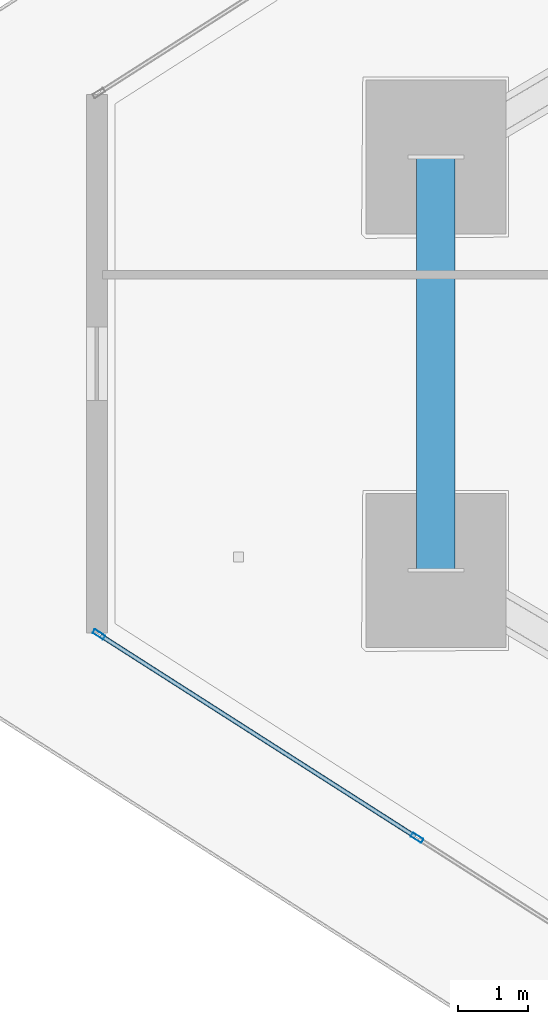
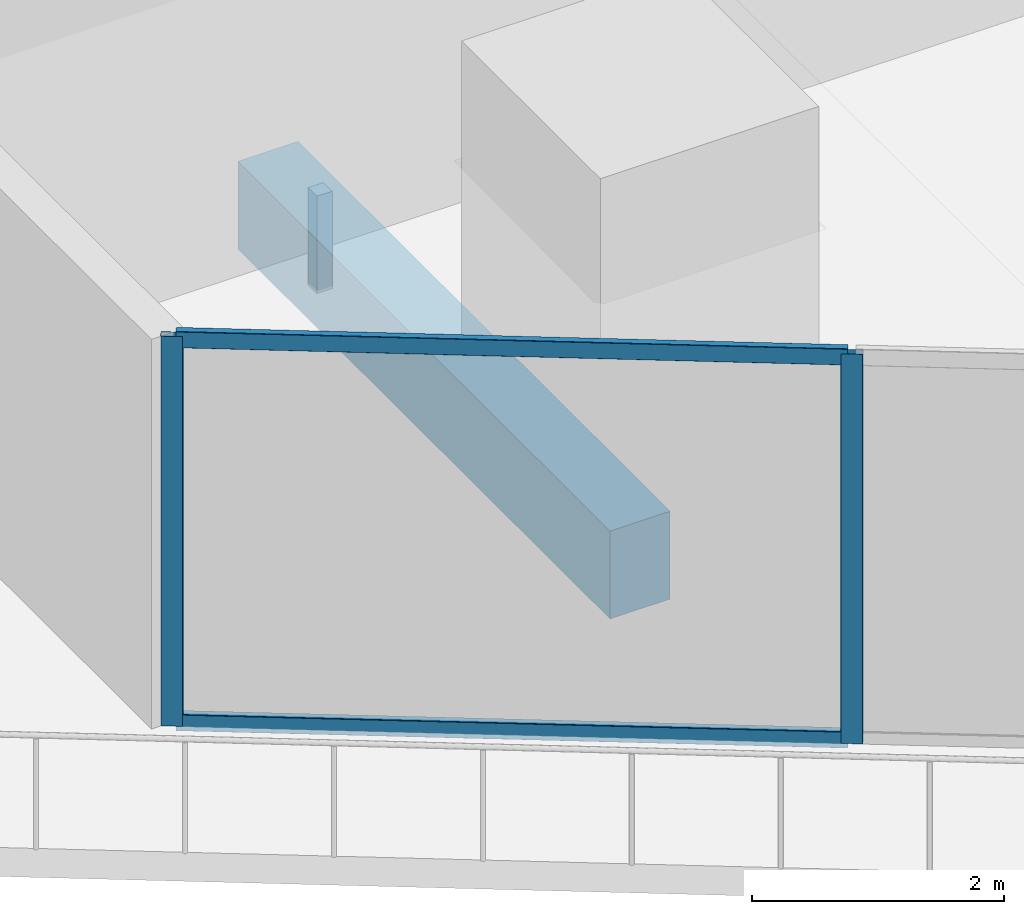
# One storey, part 4 of 45: 4 members, 1 beam, 1 element without a shape of its own.
"""IFC4 building model written with IfcOpenShell, lengths in metres."""

from ifc_helpers import new_model, si_unit, direction, frame, origin, origin_2d, place, context, subcontext, project, spatial, rectangle, hollow_rectangle, extrude, material, layer, layer_set, material_profile, profile_set, type_object, element, aggregate, save


model = new_model("IFC4")

# Units and contexts
model_context = context("Model", 3, precision=1e-05, world=origin(), true_north=direction((0.0, 1.0)))
body_context = subcontext(model_context, "Body", "Model", "MODEL_VIEW")
ifc_project = project(units=[si_unit("LENGTHUNIT", "METRE"), si_unit("AREAUNIT", "SQUARE_METRE"), si_unit("VOLUMEUNIT", "CUBIC_METRE"), si_unit("PLANEANGLEUNIT", "RADIAN"), si_unit("MASSUNIT", "GRAM", prefix="KILO")], contexts=[model_context])

# Site, building, storey
site_placement = place(None, origin())
site = spatial("IfcSite", under=ifc_project, at=site_placement, CompositionType="ELEMENT")
building_placement = place(site_placement, origin())
building = spatial("IfcBuilding", under=site, at=building_placement, Name="Qorvath Tower", CompositionType="ELEMENT")
storey_placement = place(building_placement, frame((0.0, 0.0, 126.0)))
storey = spatial("IfcBuildingStorey", under=building, at=storey_placement, Name="L28", CompositionType="ELEMENT", Elevation=126.0)

# Beam
ifc_material_1 = material(Name="Concrete C50/60", Category="concrete")
ifc_material_profile_1 = material_profile(ifc_material_1, rectangle(XDim=0.550048828125, YDim=0.85009765625, at=origin_2d()), Name="RCB 850x550")
ifc_profile_set_1 = profile_set([ifc_material_profile_1], Name="Concrete C50/60")
beam_type = type_object("IfcBeamType", Name="BM-RCB2", PredefinedType="SPANDREL", material=ifc_profile_set_1)
beam_placement = place(storey_placement, frame((-53.04931640625, 2.95068359375, -0.705078125), z_axis=(0.0, -1.0, 0.0), x_axis=(1.0, 0.0, 0.0)))
element("IfcBeam", 1, at=beam_placement, inside=storey, type_object=beam_type, Name="Perimeter Loggia Frame Beam MC1-MC2 L28", PredefinedType="SPANDREL", context=body_context, shape_type="SweptSolid", body=[
    extrude(rectangle(XDim=0.550048828125, YDim=0.85009765625, at=origin_2d()), origin(), (0.0, 0.0, 1.0), 5.9013671875),
])

# Curtain wall, members
ifc_material_2 = material(Name="Anodised aluminium and triple low-E glass", Category="aluminium")
ifc_layer = layer(ifc_material_2, 0.179931640625)
ifc_layer_set = layer_set([ifc_layer], Name="CW-SYS-2")
curtain_wall_type = type_object("IfcCurtainWallType", Name="CW-SYS-2", PredefinedType="NOTDEFINED", material=ifc_layer_set)
curtain_wall_placement = place(storey_placement, origin())
curtain_wall = element("IfcCurtainWall", 2, at=curtain_wall_placement, inside=storey, type_object=curtain_wall_type, Name="Curtain Wall CW-2 CW-T-L28-2.1", PredefinedType="NOTDEFINED")
ifc_material_3 = material(Name="Anodised aluminium 6063-T6", Category="aluminium")
ifc_material_profile_2 = material_profile(ifc_material_3, hollow_rectangle(XDim=0.06494140625, YDim=0.179931640625, WallThickness=0.00341796875, InnerFilletRadius=0.00341796875, OuterFilletRadius=0.007080078125, at=origin_2d()), Name="CWM 180x65")
ifc_profile_set_2 = profile_set([ifc_material_profile_2], Name="Anodised aluminium 6063-T6")
member_type_1 = type_object("IfcMemberType", Name="CWM-180", PredefinedType="MULLION", material=ifc_profile_set_2)
member_1_placement = place(storey_placement, frame((-57.86181640625, -3.8662109375, 0.0), z_axis=(0.0, 0.0, 1.0), x_axis=(0.538534177075, 0.842603667285, 0.0)))
member_1 = element("IfcMember", 3, at=member_1_placement, type_object=member_type_1, Name="CW-2 mullion 1", PredefinedType="MULLION", context=body_context, shape_type="SweptSolid", body=[
    extrude(hollow_rectangle(XDim=0.06494140625, YDim=0.179931640625, WallThickness=0.00341796875, InnerFilletRadius=0.00341796875, OuterFilletRadius=0.007080078125, at=origin_2d()), origin(), (0.0, 0.0, 1.0), 3.77001953125),
])
member_2_placement = place(storey_placement, frame((-53.317138671875, -6.770751953125, 0.0), z_axis=(0.0, 0.0, 1.0), x_axis=(0.538534177075, 0.842603667285, 0.0)))
member_2 = element("IfcMember", 4, at=member_2_placement, type_object=member_type_1, Name="CW-2 mullion 2", PredefinedType="MULLION", context=body_context, shape_type="SweptSolid", body=[
    extrude(hollow_rectangle(XDim=0.06494140625, YDim=0.179931640625, WallThickness=0.00341796875, InnerFilletRadius=0.00341796875, OuterFilletRadius=0.007080078125, at=origin_2d()), origin(), (0.0, 0.0, 1.0), 3.77001953125),
])
ifc_material_4 = material(Name="Anodised aluminium 6063-T6", Category="aluminium")
ifc_material_profile_3 = material_profile(ifc_material_4, hollow_rectangle(XDim=0.06494140625, YDim=0.159912109375, WallThickness=0.00341796875, InnerFilletRadius=0.00341796875, OuterFilletRadius=0.007080078125, at=origin_2d()), Name="CWT 160x65")
ifc_profile_set_3 = profile_set([ifc_material_profile_3], Name="Anodised aluminium 6063-T6")
member_type_2 = type_object("IfcMemberType", Name="CWT-160", PredefinedType="USERDEFINED", material=ifc_profile_set_3)
member_3_placement = place(storey_placement, frame((-57.83447265625, -3.883544921875, 0.032470703125), z_axis=(0.842609059562, -0.538525740095, 0.0), x_axis=(0.538525740095, 0.842609059562, 0.0)))
member_3 = element("IfcMember", 5, at=member_3_placement, type_object=member_type_2, Name="CW-2 transom 1.1", ObjectType="TRANSOM", PredefinedType="USERDEFINED", context=body_context, shape_type="SweptSolid", body=[
    extrude(hollow_rectangle(XDim=0.06494140625, YDim=0.159912109375, WallThickness=0.00341796875, InnerFilletRadius=0.00341796875, OuterFilletRadius=0.007080078125, at=origin_2d()), origin(), (0.0, 0.0, 1.0), 5.32861328125),
])
member_4_placement = place(storey_placement, frame((-57.83447265625, -3.883544921875, 3.737548828125), z_axis=(0.842609059562, -0.538525740095, 0.0), x_axis=(0.538525740095, 0.842609059562, 0.0)))
member_4 = element("IfcMember", 6, at=member_4_placement, type_object=member_type_2, Name="CW-2 transom 1.2", ObjectType="TRANSOM", PredefinedType="USERDEFINED", context=body_context, shape_type="SweptSolid", body=[
    extrude(hollow_rectangle(XDim=0.06494140625, YDim=0.159912109375, WallThickness=0.00341796875, InnerFilletRadius=0.00341796875, OuterFilletRadius=0.007080078125, at=origin_2d()), origin(), (0.0, 0.0, 1.0), 5.32861328125),
])
aggregate(curtain_wall, [member_1, member_2, member_3, member_4])

save(model, "model.ifc")
